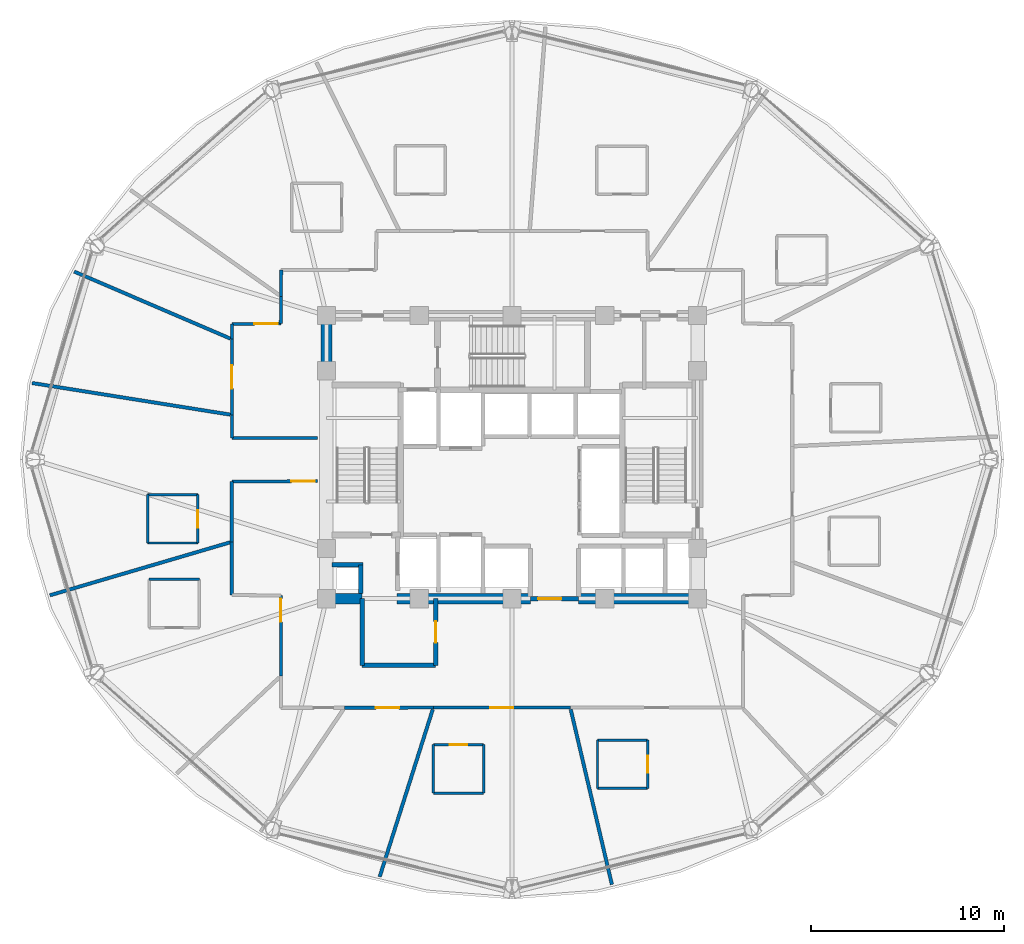
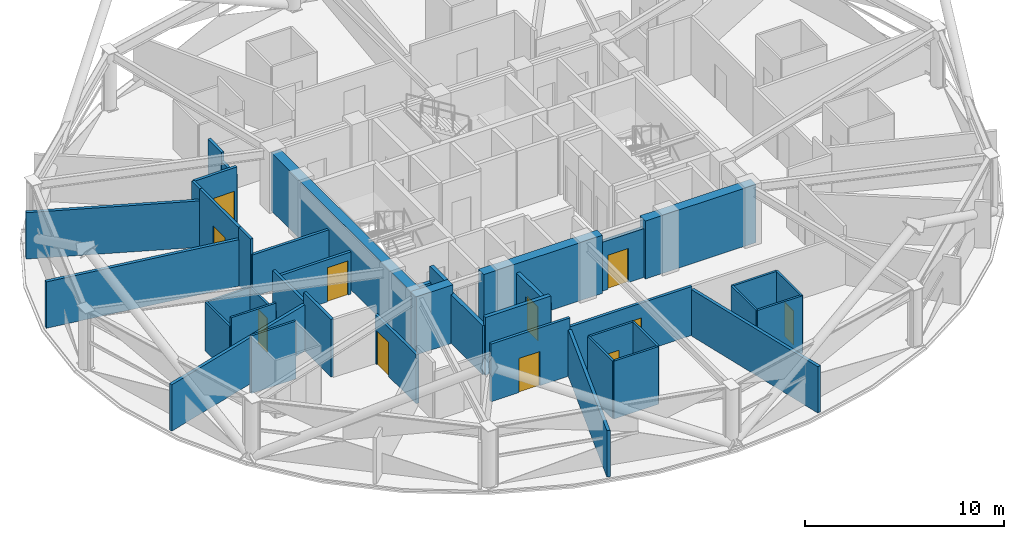
# One storey, part 22 of 29: 41 walls, 11 doors, 11 openings.
"""IFC4 building model written with IfcOpenShell, lengths in metres."""

from ifc_helpers import new_model, si_unit, direction, frame, frame_2d, origin, place, context, subcontext, project, spatial, rectangle, extrude, material, layer, layer_set, type_object, element, fill, save


model = new_model("IFC4")

# Units and contexts
model_context = context("Model", 3, precision=1e-05, world=origin(), true_north=direction((0.0, 1.0)))
body_context = subcontext(model_context, "Body", "Model", "MODEL_VIEW")
ifc_project = project(units=[si_unit("LENGTHUNIT", "METRE"), si_unit("AREAUNIT", "SQUARE_METRE"), si_unit("VOLUMEUNIT", "CUBIC_METRE"), si_unit("PLANEANGLEUNIT", "RADIAN"), si_unit("MASSUNIT", "GRAM", prefix="KILO")], contexts=[model_context])

# Site, building, storey
site_placement = place(None, origin())
site = spatial("IfcSite", under=ifc_project, at=site_placement, CompositionType="ELEMENT")
building_placement = place(site_placement, origin())
building = spatial("IfcBuilding", under=site, at=building_placement, Name="Vantalir Tower", CompositionType="ELEMENT")
storey_placement = place(building_placement, frame((0.0, 0.0, 157.199951171875)))
storey = spatial("IfcBuildingStorey", under=building, at=storey_placement, Name="L39", CompositionType="ELEMENT", Elevation=157.199951171875)

# Walls
ifc_material_1 = material(Name="Moisture-resistant en-suite partition", Category="gypsum")
ifc_layer_1 = layer(ifc_material_1, 0.125)
ifc_layer_set_1 = layer_set([ifc_layer_1], Name="Moisture-resistant en-suite partition")
wall_type_1 = type_object("IfcWallType", Name="WL-BATH-125", PredefinedType="PARTITIONING", material=ifc_layer_set_1)
wall_1_placement = place(storey_placement, frame((12.64892578125, 20.680908203125, 0.0), z_axis=(0.0, 0.0, 1.0), x_axis=(1.0, 0.0, 0.0)))
element("IfcWall", 1, at=wall_1_placement, inside=storey, type_object=wall_type_1, Name="L39 En-suite 08 South Wall", PredefinedType="PARTITIONING", context=body_context, shape_type="SweptSolid", body=[
    extrude(rectangle(XDim=2.60009765625, YDim=0.125, at=frame_2d((1.300048828125, 0.0))), origin(), (0.0, 0.0, 1.0), 3.550048828125),
])
wall_2_placement = place(storey_placement, frame((12.64892578125, 23.180908203125, 0.0), z_axis=(0.0, 0.0, 1.0), x_axis=(1.0, 0.0, 0.0)))
element("IfcWall", 2, at=wall_2_placement, inside=storey, type_object=wall_type_1, Name="L39 En-suite 08 North Wall", PredefinedType="PARTITIONING", context=body_context, shape_type="SweptSolid", body=[
    extrude(rectangle(XDim=2.60009765625, YDim=0.125, at=frame_2d((1.300048828125, 0.0))), origin(), (0.0, 0.0, 1.0), 3.006103515625),
])
wall_3_placement = place(storey_placement, frame((12.64892578125, 20.680908203125, 0.0), z_axis=(0.0, 0.0, 1.0), x_axis=(0.0, 1.0, 0.0)))
element("IfcWall", 3, at=wall_3_placement, inside=storey, type_object=wall_type_1, Name="L39 En-suite 08 West Wall", PredefinedType="PARTITIONING", context=body_context, shape_type="SweptSolid", body=[
    extrude(rectangle(XDim=2.5, YDim=0.125, at=frame_2d((1.25, 0.0))), origin(), (0.0, 0.0, 1.0), 3.006103515625),
])

# Wall, opening, door
wall_4_placement = place(storey_placement, frame((15.2490234375, 20.680908203125, 0.0), z_axis=(0.0, 0.0, 1.0), x_axis=(0.0, 1.0, 0.0)))
wall_4 = element("IfcWall", 4, at=wall_4_placement, inside=storey, type_object=wall_type_1, Name="L39 En-suite 08 East Wall", PredefinedType="PARTITIONING", context=body_context, shape_type="SweptSolid", body=[
    extrude(rectangle(XDim=2.5, YDim=0.125, at=frame_2d((1.25, 0.0))), origin(), (0.0, 0.0, 1.0), 3.006103515625),
])
opening_1_placement = place(wall_4_placement, frame((0.800048828125, 0.0, 0.0)))
opening_1 = element("IfcOpeningElement", 5, at=opening_1_placement, cuts=wall_4, Name="Opening D-WC", PredefinedType="OPENING", context=body_context, shape_type="SweptSolid", body=[
    extrude(rectangle(XDim=0.89990234375, YDim=2.10009765625, at=frame_2d((0.449951171875, 1.050048828125))), frame((0.0, 0.072509765625, 0.0), z_axis=(0.0, -1.0, 0.0), x_axis=(1.0, 0.0, 0.0)), (0.0, 0.0, 1.0), 0.14501953125),
])
ifc_material_2 = material(Name="Moisture-resistant hardwood door", Category="wood")
door_type_1 = type_object("IfcDoorType", Name="DR-ENSUITE-900", OperationType="NOTDEFINED", PredefinedType="DOOR", material=ifc_material_2)
door_1_placement = place(opening_1_placement, origin())
door_1 = element("IfcDoor", 6, at=door_1_placement, inside=storey, type_object=door_type_1, Name="L39 En-suite 08 Door", OperationType="SINGLE_SWING_RIGHT", OverallHeight=2.10009765625, OverallWidth=0.89990234375, PredefinedType="DOOR", context=body_context, shape_type="SweptSolid", body=[
    extrude(rectangle(XDim=0.89990234375, YDim=2.10009765625, at=frame_2d((0.449951171875, 1.050048828125))), frame((0.0, 0.02490234375, 0.0), z_axis=(0.0, -1.0, 0.0), x_axis=(1.0, 0.0, 0.0)), (0.0, 0.0, 1.0), 0.050048828125),
])
fill(opening_1, door_1)

# Walls
wall_5_placement = place(storey_placement, frame((12.72607421875, 18.804931640625, 0.0), z_axis=(0.0, 0.0, 1.0), x_axis=(1.0, 0.0, 0.0)))
element("IfcWall", 7, at=wall_5_placement, inside=storey, type_object=wall_type_1, Name="L39 En-suite 09 North Wall", PredefinedType="PARTITIONING", context=body_context, shape_type="SweptSolid", body=[
    extrude(rectangle(XDim=2.599853515625, YDim=0.125, at=frame_2d((1.2998046875, 0.0))), origin(), (0.0, 0.0, 1.0), 3.550048828125),
])
wall_6_placement = place(storey_placement, frame((27.430908203125, 7.742919921875, 0.0), z_axis=(0.0, 0.0, 1.0), x_axis=(1.0, 0.0, 0.0)))
element("IfcWall", 8, at=wall_6_placement, inside=storey, type_object=wall_type_1, Name="L39 En-suite 12 South Wall", PredefinedType="PARTITIONING", context=body_context, shape_type="SweptSolid", body=[
    extrude(rectangle(XDim=2.60009765625, YDim=0.125, at=frame_2d((1.300048828125, 0.0))), origin(), (0.0, 0.0, 1.0), 3.550048828125),
])

# Wall, opening, door
wall_7_placement = place(storey_placement, frame((27.430908203125, 10.242919921875, 0.0), z_axis=(0.0, 0.0, 1.0), x_axis=(1.0, 0.0, 0.0)))
wall_7 = element("IfcWall", 9, at=wall_7_placement, inside=storey, type_object=wall_type_1, Name="L39 En-suite 12 North Wall", PredefinedType="PARTITIONING", context=body_context, shape_type="SweptSolid", body=[
    extrude(rectangle(XDim=2.60009765625, YDim=0.125, at=frame_2d((1.300048828125, 0.0))), origin(), (0.0, 0.0, 1.0), 3.550048828125),
])
opening_2_placement = place(wall_7_placement, frame((0.85009765625, 0.0, 0.0)))
opening_2 = element("IfcOpeningElement", 10, at=opening_2_placement, cuts=wall_7, Name="Opening D-WC", PredefinedType="OPENING", context=body_context, shape_type="SweptSolid", body=[
    extrude(rectangle(XDim=0.89990234375, YDim=2.10009765625, at=frame_2d((0.449951171875, 1.050048828125))), frame((0.0, 0.072509765625, 0.0), z_axis=(0.0, -1.0, 0.0), x_axis=(1.0, 0.0, 0.0)), (0.0, 0.0, 1.0), 0.14501953125),
])
door_2_placement = place(opening_2_placement, frame((0.89990234375, 0.0, 0.0), z_axis=(0.0, 0.0, 1.0), x_axis=(-1.0, 0.0, 0.0)))
door_2 = element("IfcDoor", 11, at=door_2_placement, inside=storey, type_object=door_type_1, Name="L39 En-suite 12 Door", OperationType="SINGLE_SWING_RIGHT", OverallHeight=2.10009765625, OverallWidth=0.89990234375, PredefinedType="DOOR", context=body_context, shape_type="SweptSolid", body=[
    extrude(rectangle(XDim=0.89990234375, YDim=2.10009765625, at=frame_2d((0.449951171875, 1.050048828125))), frame((0.0, 0.02490234375, 0.0), z_axis=(0.0, -1.0, 0.0), x_axis=(1.0, 0.0, 0.0)), (0.0, 0.0, 1.0), 0.050048828125),
])
fill(opening_2, door_2)

# Walls
for number, where, z_axis, x_axis, name in (
    (12, (27.430908203125, 7.742919921875, 0.0), (0.0, 0.0, 1.0), (0.0, 1.0, 0.0), "L39 En-suite 12 West Wall"),
    (13, (30.031005859375, 7.742919921875, 0.0), (0.0, 0.0, 1.0), (0.0, 1.0, 0.0), "L39 En-suite 12 East Wall"),
):
    element("IfcWall", number, at=place(storey_placement, frame(where, z_axis=z_axis, x_axis=x_axis)), inside=storey, type_object=wall_type_1, Name=name, PredefinedType="PARTITIONING", context=body_context, shape_type="SweptSolid", body=[
        extrude(rectangle(XDim=2.5, YDim=0.125, at=frame_2d((1.25, 0.0))), origin(), (0.0, 0.0, 1.0), 3.550048828125),
    ])
for number, where, z_axis, x_axis, name in (
    (14, (35.923095703125, 7.98291015625, 0.0), (0.0, 0.0, 1.0), (1.0, 0.0, 0.0), "L39 En-suite 13 South Wall"),
    (15, (35.923095703125, 10.48291015625, 0.0), (0.0, 0.0, 1.0), (1.0, 0.0, 0.0), "L39 En-suite 13 North Wall"),
):
    element("IfcWall", number, at=place(storey_placement, frame(where, z_axis=z_axis, x_axis=x_axis)), inside=storey, type_object=wall_type_1, Name=name, PredefinedType="PARTITIONING", context=body_context, shape_type="SweptSolid", body=[
        extrude(rectangle(XDim=2.599853515625, YDim=0.125, at=frame_2d((1.2998046875, 0.0))), origin(), (0.0, 0.0, 1.0), 3.550048828125),
    ])
wall_8_placement = place(storey_placement, frame((35.923095703125, 7.98291015625, 0.0), z_axis=(0.0, 0.0, 1.0), x_axis=(0.0, 1.0, 0.0)))
element("IfcWall", 16, at=wall_8_placement, inside=storey, type_object=wall_type_1, Name="L39 En-suite 13 West Wall", PredefinedType="PARTITIONING", context=body_context, shape_type="SweptSolid", body=[
    extrude(rectangle(XDim=2.5, YDim=0.125, at=frame_2d((1.25, 0.0))), origin(), (0.0, 0.0, 1.0), 3.550048828125),
])

# Wall, opening, door
wall_9_placement = place(storey_placement, frame((38.52294921875, 7.98291015625, 0.0), z_axis=(0.0, 0.0, 1.0), x_axis=(0.0, 1.0, 0.0)))
wall_9 = element("IfcWall", 17, at=wall_9_placement, inside=storey, type_object=wall_type_1, Name="L39 En-suite 13 East Wall", PredefinedType="PARTITIONING", context=body_context, shape_type="SweptSolid", body=[
    extrude(rectangle(XDim=2.5, YDim=0.125, at=frame_2d((1.25, 0.0))), origin(), (0.0, 0.0, 1.0), 3.550048828125),
])
opening_3_placement = place(wall_9_placement, frame((0.800048828125, 0.0, 0.0)))
opening_3 = element("IfcOpeningElement", 18, at=opening_3_placement, cuts=wall_9, Name="Opening D-WC", PredefinedType="OPENING", context=body_context, shape_type="SweptSolid", body=[
    extrude(rectangle(XDim=0.89990234375, YDim=2.10009765625, at=frame_2d((0.449951171875, 1.050048828125))), frame((0.0, 0.072509765625, 0.0), z_axis=(0.0, -1.0, 0.0), x_axis=(1.0, 0.0, 0.0)), (0.0, 0.0, 1.0), 0.14501953125),
])
door_3_placement = place(opening_3_placement, origin())
door_3 = element("IfcDoor", 19, at=door_3_placement, inside=storey, type_object=door_type_1, Name="L39 En-suite 13 Door", OperationType="SINGLE_SWING_LEFT", OverallHeight=2.10009765625, OverallWidth=0.89990234375, PredefinedType="DOOR", context=body_context, shape_type="SweptSolid", body=[
    extrude(rectangle(XDim=0.89990234375, YDim=2.10009765625, at=frame_2d((0.449951171875, 1.050048828125))), frame((0.0, 0.02490234375, 0.0), z_axis=(0.0, -1.0, 0.0), x_axis=(1.0, 0.0, 0.0)), (0.0, 0.0, 1.0), 0.050048828125),
])
fill(opening_3, door_3)

# Walls
ifc_material_3 = material(Name="Concrete C60/75", Category="concrete")
ifc_layer_2 = layer(ifc_material_3, 0.550048828125)
ifc_layer_set_2 = layer_set([ifc_layer_2], Name="Concrete C60/75")
wall_type_2 = type_object("IfcWallType", Name="WL-CORE-550", PredefinedType="SHEAR", material=ifc_layer_set_2)
wall_10_placement = place(storey_placement, frame((21.625, 17.800048828125, 0.0), z_axis=(0.0, 0.0, 1.0), x_axis=(1.0, 0.0, 0.0)))
element("IfcWall", 20, at=wall_10_placement, inside=storey, type_object=wall_type_2, Name="L39 Core Shear Wall South-West", PredefinedType="SHEAR", context=body_context, shape_type="SweptSolid", body=[
    extrude(rectangle(XDim=2.125, YDim=0.550048828125, at=frame_2d((1.0625, 0.0))), origin(), (0.0, 0.0, 1.0), 3.570068359375),
])
wall_11_placement = place(storey_placement, frame((25.550048828125, 17.800048828125, 0.0), z_axis=(0.0, 0.0, 1.0), x_axis=(1.0, 0.0, 0.0)))
element("IfcWall", 21, at=wall_11_placement, inside=storey, type_object=wall_type_2, Name="L39 Core Shear Wall South-Mid", PredefinedType="SHEAR", context=body_context, shape_type="SweptSolid", body=[
    extrude(rectangle(XDim=6.89990234375, YDim=0.550048828125, at=frame_2d((3.449951171875, 0.0))), origin(), (0.0, 0.0, 1.0), 3.570068359375),
])
wall_12_placement = place(storey_placement, frame((34.949951171875, 17.800048828125, 0.0), z_axis=(0.0, 0.0, 1.0), x_axis=(1.0, 0.0, 0.0)))
element("IfcWall", 22, at=wall_12_placement, inside=storey, type_object=wall_type_2, Name="L39 Core Shear Wall South-East", PredefinedType="SHEAR", context=body_context, shape_type="SweptSolid", body=[
    extrude(rectangle(XDim=6.425048828125, YDim=0.550048828125, at=frame_2d((3.21240234375, 0.0))), origin(), (0.0, 0.0, 1.0), 3.570068359375),
])
wall_13_placement = place(storey_placement, frame((21.89990234375, 18.074951171875, 0.0), z_axis=(0.0, 0.0, 1.0), x_axis=(0.0, 1.0, 0.0)))
element("IfcWall", 23, at=wall_13_placement, inside=storey, type_object=wall_type_2, Name="L39 Core Shear Wall West", PredefinedType="SHEAR", context=body_context, shape_type="SweptSolid", body=[
    extrude(rectangle(XDim=14.10009765625, YDim=0.550048828125, at=frame_2d((7.050048828125, 0.0))), origin(), (0.0, 0.0, 1.0), 3.570068359375),
])
ifc_material_4 = material(Name="Fire-rated hotel corridor acoustic partition", Category="gypsum")
ifc_layer_3 = layer(ifc_material_4, 0.159912109375)
ifc_layer_set_3 = layer_set([ifc_layer_3], Name="Fire-rated hotel corridor acoustic partition")
wall_type_3 = type_object("IfcWallType", Name="WL-CORR-160", PredefinedType="PARTITIONING", material=ifc_layer_set_3)
wall_14_placement = place(storey_placement, frame((21.445068359375, 26.114990234375, 0.0), z_axis=(0.0, 0.0, 1.0), x_axis=(-0.999997454189, 0.002256460959, 0.0)))
element("IfcWall", 24, at=wall_14_placement, inside=storey, type_object=wall_type_3, Name="L39 Corridor Partition 01", PredefinedType="PARTITIONING", context=body_context, shape_type="SweptSolid", body=[
    extrude(rectangle(XDim=4.43603515625, YDim=0.159912109375, at=frame_2d((2.218017578125, 0.0))), origin(), (0.0, 0.0, 1.0), 2.594970703125),
])
wall_15_placement = place(storey_placement, frame((17.009033203125, 26.125, 0.0), z_axis=(0.0, 0.0, 1.0), x_axis=(-0.00082338383, 0.999999661019, 0.0)))
element("IfcWall", 25, at=wall_15_placement, inside=storey, type_object=wall_type_3, Name="L39 Corridor Partition 02", PredefinedType="PARTITIONING", context=body_context, shape_type="SweptSolid", body=[
    extrude(rectangle(XDim=1.18603515625, YDim=0.159912109375, at=frame_2d((0.593017578125, 0.0))), origin(), (0.0, 0.0, 1.0), 3.550048828125),
])

# Wall, opening, door
wall_16_placement = place(storey_placement, frame((17.008056640625, 27.31103515625, 0.0), z_axis=(0.0, 0.0, 1.0), x_axis=(-0.001309879116, 0.999999142108, 0.0)))
wall_16 = element("IfcWall", 26, at=wall_16_placement, inside=storey, type_object=wall_type_3, Name="L39 Corridor Partition 03", PredefinedType="PARTITIONING", context=body_context, shape_type="SweptSolid", body=[
    extrude(rectangle(XDim=3.9140625, YDim=0.159912109375, at=frame_2d((1.95703125, 0.0))), origin(), (0.0, 0.0, 1.0), 3.550048828125),
])
opening_4_placement = place(wall_16_placement, frame((1.35693359375, 0.0, 0.0)))
opening_4 = element("IfcOpeningElement", 27, at=opening_4_placement, cuts=wall_16, Name="Opening D-STE", PredefinedType="OPENING", context=body_context, shape_type="SweptSolid", body=[
    extrude(rectangle(XDim=1.199951171875, YDim=2.10009765625, at=frame_2d((0.60009765625, 1.050048828125))), frame((0.0, 0.08984375, 0.0), z_axis=(0.0, -1.0, 0.0), x_axis=(1.0, 0.0, 0.0)), (0.0, 0.0, 1.0), 0.179931640625),
])
ifc_material_5 = material(Name="Solid-core teak veneer suite entrance door", Category="wood")
door_type_2 = type_object("IfcDoorType", Name="DR-SUITE-ENTRY-1200", OperationType="NOTDEFINED", PredefinedType="DOOR", material=ifc_material_5)
door_4_placement = place(opening_4_placement, origin())
door_4 = element("IfcDoor", 28, at=door_4_placement, inside=storey, type_object=door_type_2, Name="L39 Club Reading Lounge 07 Door", OperationType="SINGLE_SWING_RIGHT", OverallHeight=2.10009765625, OverallWidth=1.199951171875, PredefinedType="DOOR", context=body_context, shape_type="SweptSolid", body=[
    extrude(rectangle(XDim=1.199951171875, YDim=2.10009765625, at=frame_2d((0.60009765625, 1.050048828125))), frame((0.0, 0.02490234375, 0.0), z_axis=(0.0, -1.0, 0.0), x_axis=(1.0, 0.0, 0.0)), (0.0, 0.0, 1.0), 0.050048828125),
])
fill(opening_4, door_4)

# Wall
wall_17_placement = place(storey_placement, frame((17.0029296875, 31.22509765625, 0.0), z_axis=(0.0, 0.0, 1.0), x_axis=(-0.001241078784, 0.999999229861, 0.0)))
element("IfcWall", 29, at=wall_17_placement, inside=storey, type_object=wall_type_3, Name="L39 Corridor Partition 04", PredefinedType="PARTITIONING", context=body_context, shape_type="SweptSolid", body=[
    extrude(rectangle(XDim=0.786865234375, YDim=0.159912109375, at=frame_2d((0.3935546875, 0.0))), origin(), (0.0, 0.0, 1.0), 3.550048828125),
])

# Wall, opening, door
wall_18_placement = place(storey_placement, frame((17.001953125, 32.011962890625, 0.0), z_axis=(0.0, 0.0, 1.0), x_axis=(0.999938574393, 0.011083656487, 0.0)))
wall_18 = element("IfcWall", 30, at=wall_18_placement, inside=storey, type_object=wall_type_3, Name="L39 Corridor Partition 05", PredefinedType="PARTITIONING", context=body_context, shape_type="SweptSolid", body=[
    extrude(rectangle(XDim=2.533203125, YDim=0.159912109375, at=frame_2d((1.2666015625, 0.0))), origin(), (0.0, 0.0, 1.0), 3.550048828125),
])
opening_5_placement = place(wall_18_placement, frame((1.173095703125, 0.0, 0.0)))
opening_5 = element("IfcOpeningElement", 31, at=opening_5_placement, cuts=wall_18, Name="Opening D-STE", PredefinedType="OPENING", context=body_context, shape_type="SweptSolid", body=[
    extrude(rectangle(XDim=1.199951171875, YDim=2.10009765625, at=frame_2d((0.60009765625, 1.050048828125))), frame((0.0, 0.08984375, 0.0), z_axis=(0.0, -1.0, 0.0), x_axis=(1.0, 0.0, 0.0)), (0.0, 0.0, 1.0), 0.179931640625),
])
door_5_placement = place(opening_5_placement, origin())
door_5 = element("IfcDoor", 32, at=door_5_placement, inside=storey, type_object=door_type_2, Name="L39 Executive Business Study 06 Door", OperationType="SINGLE_SWING_LEFT", OverallHeight=2.10009765625, OverallWidth=1.199951171875, PredefinedType="DOOR", context=body_context, shape_type="SweptSolid", body=[
    extrude(rectangle(XDim=1.199951171875, YDim=2.10009765625, at=frame_2d((0.60009765625, 1.050048828125))), frame((0.0, 0.02490234375, 0.0), z_axis=(0.0, -1.0, 0.0), x_axis=(1.0, 0.0, 0.0)), (0.0, 0.0, 1.0), 0.050048828125),
])
fill(opening_5, door_5)

# Walls
wall_19_placement = place(storey_placement, frame((19.534912109375, 32.0400390625, 0.0), z_axis=(0.0, 0.0, 1.0), x_axis=(0.009389257464, 0.999955919951, 0.0)))
element("IfcWall", 33, at=wall_19_placement, inside=storey, type_object=wall_type_3, Name="L39 Corridor Partition 06", PredefinedType="PARTITIONING", context=body_context, shape_type="SweptSolid", body=[
    extrude(rectangle(XDim=1.404052734375, YDim=0.159912109375, at=frame_2d((0.7021484375, 0.0))), origin(), (0.0, 0.0, 1.0), 3.006103515625),
])
wall_20_placement = place(storey_placement, frame((19.548095703125, 33.444091796875, 0.0), z_axis=(0.0, 0.0, 1.0), x_axis=(0.008744980606, 0.999961761926, 0.0)))
element("IfcWall", 34, at=wall_20_placement, inside=storey, type_object=wall_type_3, Name="L39 Corridor Partition 07", PredefinedType="PARTITIONING", context=body_context, shape_type="SweptSolid", body=[
    extrude(rectangle(XDim=1.367919921875, YDim=0.159912109375, at=frame_2d((0.68408203125, 0.0))), origin(), (0.0, 0.0, 1.0), 3.550048828125),
])

# Wall, opening, door
wall_21_placement = place(storey_placement, frame((34.51806640625, 12.1640625, 0.0), z_axis=(0.0, 0.0, 1.0), x_axis=(-0.999999828666, -0.000585379191, 0.0)))
wall_21 = element("IfcWall", 35, at=wall_21_placement, inside=storey, type_object=wall_type_3, Name="L39 Corridor Partition 26", PredefinedType="PARTITIONING", context=body_context, shape_type="SweptSolid", body=[
    extrude(rectangle(XDim=7.090087890625, YDim=0.159912109375, at=frame_2d((3.544921875, 0.0))), origin(), (0.0, 0.0, 1.0), 3.006103515625),
])
opening_6_placement = place(wall_21_placement, frame((2.945068359375, 0.0, 0.0)))
opening_6 = element("IfcOpeningElement", 36, at=opening_6_placement, cuts=wall_21, Name="Opening D-STE", PredefinedType="OPENING", context=body_context, shape_type="SweptSolid", body=[
    extrude(rectangle(XDim=1.199951171875, YDim=2.10009765625, at=frame_2d((0.60009765625, 1.050048828125))), frame((0.0, 0.08984375, 0.0), z_axis=(0.0, -1.0, 0.0), x_axis=(1.0, 0.0, 0.0)), (0.0, 0.0, 1.0), 0.179931640625),
])
door_6_placement = place(opening_6_placement, origin())
door_6 = element("IfcDoor", 37, at=door_6_placement, inside=storey, type_object=door_type_2, Name="L39 Executive Club Hotel Suite 12 Door", OperationType="SINGLE_SWING_LEFT", OverallHeight=2.10009765625, OverallWidth=1.199951171875, PredefinedType="DOOR", context=body_context, shape_type="SweptSolid", body=[
    extrude(rectangle(XDim=1.199951171875, YDim=2.10009765625, at=frame_2d((0.60009765625, 1.050048828125))), frame((0.0, 0.02490234375, 0.0), z_axis=(0.0, -1.0, 0.0), x_axis=(1.0, 0.0, 0.0)), (0.0, 0.0, 1.0), 0.050048828125),
])
fill(opening_6, door_6)

wall_22_placement = place(storey_placement, frame((27.427978515625, 12.159912109375, 0.0), z_axis=(0.0, 0.0, 1.0), x_axis=(-0.99999990974, -0.000424876482, 0.0)))
wall_22 = element("IfcWall", 38, at=wall_22_placement, inside=storey, type_object=wall_type_3, Name="L39 Corridor Partition 27", PredefinedType="PARTITIONING", context=body_context, shape_type="SweptSolid", body=[
    extrude(rectangle(XDim=4.596923828125, YDim=0.159912109375, at=frame_2d((2.29833984375, 0.0))), origin(), (0.0, 0.0, 1.0), 3.550048828125),
])
opening_7_placement = place(wall_22_placement, frame((1.77197265625, 0.0, 0.0)))
opening_7 = element("IfcOpeningElement", 39, at=opening_7_placement, cuts=wall_22, Name="Opening D-STE", PredefinedType="OPENING", context=body_context, shape_type="SweptSolid", body=[
    extrude(rectangle(XDim=1.199951171875, YDim=2.10009765625, at=frame_2d((0.60009765625, 1.050048828125))), frame((0.0, 0.08984375, 0.0), z_axis=(0.0, -1.0, 0.0), x_axis=(1.0, 0.0, 0.0)), (0.0, 0.0, 1.0), 0.179931640625),
])
door_7_placement = place(opening_7_placement, origin())
door_7 = element("IfcDoor", 40, at=door_7_placement, inside=storey, type_object=door_type_2, Name="L39 Club Reading Lounge 11 Door", OperationType="SINGLE_SWING_RIGHT", OverallHeight=2.10009765625, OverallWidth=1.199951171875, PredefinedType="DOOR", context=body_context, shape_type="SweptSolid", body=[
    extrude(rectangle(XDim=1.199951171875, YDim=2.10009765625, at=frame_2d((0.60009765625, 1.050048828125))), frame((0.0, 0.02490234375, 0.0), z_axis=(0.0, -1.0, 0.0), x_axis=(1.0, 0.0, 0.0)), (0.0, 0.0, 1.0), 0.050048828125),
])
fill(opening_7, door_7)

wall_23_placement = place(storey_placement, frame((19.548095703125, 13.80908203125, 0.0), z_axis=(0.0, 0.0, 1.0), x_axis=(-0.00317608091, 0.999994956242, 0.0)))
wall_23 = element("IfcWall", 41, at=wall_23_placement, inside=storey, type_object=wall_type_3, Name="L39 Corridor Partition 30", PredefinedType="PARTITIONING", context=body_context, shape_type="SweptSolid", body=[
    extrude(rectangle(XDim=4.15087890625, YDim=0.159912109375, at=frame_2d((2.075439453125, 0.0))), origin(), (0.0, 0.0, 1.0), 3.006103515625),
])
opening_8_placement = place(wall_23_placement, frame((2.791015625, 0.0, 0.0)))
opening_8 = element("IfcOpeningElement", 42, at=opening_8_placement, cuts=wall_23, Name="Opening D-STE", PredefinedType="OPENING", context=body_context, shape_type="SweptSolid", body=[
    extrude(rectangle(XDim=1.199951171875, YDim=2.10009765625, at=frame_2d((0.60009765625, 1.050048828125))), frame((0.0, 0.08984375, 0.0), z_axis=(0.0, -1.0, 0.0), x_axis=(1.0, 0.0, 0.0)), (0.0, 0.0, 1.0), 0.179931640625),
])
door_8_placement = place(opening_8_placement, origin())
door_8 = element("IfcDoor", 43, at=door_8_placement, inside=storey, type_object=door_type_2, Name="L39 Executive Club Hotel Suite 09 Door", OperationType="SINGLE_SWING_RIGHT", OverallHeight=2.10009765625, OverallWidth=1.199951171875, PredefinedType="DOOR", context=body_context, shape_type="SweptSolid", body=[
    extrude(rectangle(XDim=1.199951171875, YDim=2.10009765625, at=frame_2d((0.60009765625, 1.050048828125))), frame((0.0, 0.02490234375, 0.0), z_axis=(0.0, -1.0, 0.0), x_axis=(1.0, 0.0, 0.0)), (0.0, 0.0, 1.0), 0.050048828125),
])
fill(opening_8, door_8)

# Walls
wall_24_placement = place(storey_placement, frame((17.0009765625, 17.991943359375, 0.0), z_axis=(0.0, 0.0, 1.0), x_axis=(0.0, 1.0, 0.0)))
element("IfcWall", 44, at=wall_24_placement, inside=storey, type_object=wall_type_3, Name="L39 Corridor Partition 32", PredefinedType="PARTITIONING", context=body_context, shape_type="SweptSolid", body=[
    extrude(rectangle(XDim=2.748046875, YDim=0.159912109375, at=frame_2d((1.3740234375, 0.0))), origin(), (0.0, 0.0, 1.0), 3.550048828125),
])
wall_25_placement = place(storey_placement, frame((17.0009765625, 20.739990234375, 0.0), z_axis=(0.0, 0.0, 1.0), x_axis=(0.0, 1.0, 0.0)))
element("IfcWall", 45, at=wall_25_placement, inside=storey, type_object=wall_type_3, Name="L39 Corridor Partition 33", PredefinedType="PARTITIONING", context=body_context, shape_type="SweptSolid", body=[
    extrude(rectangle(XDim=3.117919921875, YDim=0.159912109375, at=frame_2d((1.55908203125, 0.0))), origin(), (0.0, 0.0, 1.0), 3.006103515625),
])

# Wall, opening, door
wall_26_placement = place(storey_placement, frame((17.0009765625, 23.85791015625, 0.0), z_axis=(0.0, 0.0, 1.0), x_axis=(0.999982724113, 0.005878050403, 0.0)))
wall_26 = element("IfcWall", 46, at=wall_26_placement, inside=storey, type_object=wall_type_3, Name="L39 Corridor Partition 34", PredefinedType="PARTITIONING", context=body_context, shape_type="SweptSolid", body=[
    extrude(rectangle(XDim=4.444091796875, YDim=0.159912109375, at=frame_2d((2.22216796875, 0.0))), origin(), (0.0, 0.0, 1.0), 2.594970703125),
])
opening_9_placement = place(wall_26_placement, frame((3.083984375, 0.0, 0.0)))
opening_9 = element("IfcOpeningElement", 47, at=opening_9_placement, cuts=wall_26, Name="Opening D-STE", PredefinedType="OPENING", context=body_context, shape_type="SweptSolid", body=[
    extrude(rectangle(XDim=1.199951171875, YDim=2.10009765625, at=frame_2d((0.60009765625, 1.050048828125))), frame((0.0, 0.08984375, 0.0), z_axis=(0.0, -1.0, 0.0), x_axis=(1.0, 0.0, 0.0)), (0.0, 0.0, 1.0), 0.179931640625),
])
door_9_placement = place(opening_9_placement, origin())
door_9 = element("IfcDoor", 48, at=door_9_placement, inside=storey, type_object=door_type_2, Name="L39 Corner Panorama Hotel Suite 08 Door", OperationType="SINGLE_SWING_LEFT", OverallHeight=2.10009765625, OverallWidth=1.199951171875, PredefinedType="DOOR", context=body_context, shape_type="SweptSolid", body=[
    extrude(rectangle(XDim=1.199951171875, YDim=2.10009765625, at=frame_2d((0.60009765625, 1.050048828125))), frame((0.0, 0.02490234375, 0.0), z_axis=(0.0, -1.0, 0.0), x_axis=(1.0, 0.0, 0.0)), (0.0, 0.0, 1.0), 0.050048828125),
])
fill(opening_9, door_9)

ifc_material_6 = material(Name="Concrete blockwork with fireboard lining", Category="masonry")
ifc_layer_4 = layer(ifc_material_6, 0.219970703125)
ifc_layer_set_4 = layer_set([ifc_layer_4], Name="Concrete blockwork with fireboard lining")
wall_type_4 = type_object("IfcWallType", Name="WL-FFL-220", PredefinedType="PARTITIONING", material=ifc_layer_set_4)
wall_27_placement = place(storey_placement, frame((32.449951171875, 17.800048828125, 0.0), z_axis=(0.0, 0.0, 1.0), x_axis=(1.0, 0.0, 0.0)))
wall_27 = element("IfcWall", 49, at=wall_27_placement, inside=storey, type_object=wall_type_4, Name="L39 Passenger Lift Lobby South Wall", PredefinedType="PARTITIONING", context=body_context, shape_type="SweptSolid", body=[
    extrude(rectangle(XDim=2.5, YDim=0.219970703125, at=frame_2d((1.25, 0.0))), origin(), (0.0, 0.0, 1.0), 3.006103515625),
])
opening_10_placement = place(wall_27_placement, frame((0.39990234375, 0.0, 0.0)))
opening_10 = element("IfcOpeningElement", 50, at=opening_10_placement, cuts=wall_27, Name="Opening D-STE", PredefinedType="OPENING", context=body_context, shape_type="SweptSolid", body=[
    extrude(rectangle(XDim=1.199951171875, YDim=2.10009765625, at=frame_2d((0.60009765625, 1.050048828125))), frame((0.0, 0.119873046875, 0.0), z_axis=(0.0, -1.0, 0.0), x_axis=(1.0, 0.0, 0.0)), (0.0, 0.0, 1.0), 0.239990234375),
])
door_10_placement = place(opening_10_placement, origin())
door_10 = element("IfcDoor", 51, at=door_10_placement, inside=storey, type_object=door_type_2, Name="L39 Passenger Lift Lobby Concourse Door", OperationType="SINGLE_SWING_RIGHT", OverallHeight=2.10009765625, OverallWidth=1.199951171875, PredefinedType="DOOR", context=body_context, shape_type="SweptSolid", body=[
    extrude(rectangle(XDim=1.199951171875, YDim=2.10009765625, at=frame_2d((0.60009765625, 1.050048828125))), frame((0.0, 0.02490234375, 0.0), z_axis=(0.0, -1.0, 0.0), x_axis=(1.0, 0.0, 0.0)), (0.0, 0.0, 1.0), 0.050048828125),
])
fill(opening_10, door_10)

# Walls
wall_28_placement = place(storey_placement, frame((23.679931640625, 18.074951171875, 0.0), z_axis=(0.0, 0.0, 1.0), x_axis=(0.0, 1.0, 0.0)))
element("IfcWall", 52, at=wall_28_placement, inside=storey, type_object=wall_type_4, Name="L39 West MEP Riser Wall E", PredefinedType="PARTITIONING", context=body_context, shape_type="SweptSolid", body=[
    extrude(rectangle(XDim=1.47509765625, YDim=0.219970703125, at=frame_2d((0.737548828125, 0.0))), origin(), (0.0, 0.0, 1.0), 3.550048828125),
])
wall_29_placement = place(storey_placement, frame((22.175048828125, 19.550048828125, 0.0), z_axis=(0.0, 0.0, 1.0), x_axis=(1.0, 0.0, 0.0)))
element("IfcWall", 53, at=wall_29_placement, inside=storey, type_object=wall_type_4, Name="L39 West MEP Riser Wall N", PredefinedType="PARTITIONING", context=body_context, shape_type="SweptSolid", body=[
    extrude(rectangle(XDim=1.614990234375, YDim=0.219970703125, at=frame_2d((0.8076171875, 0.0))), origin(), (0.0, 0.0, 1.0), 2.594970703125),
])
wall_30_placement = place(storey_placement, frame((23.75, 14.35009765625, 0.0), z_axis=(0.0, 0.0, 1.0), x_axis=(0.0, 1.0, 0.0)))
element("IfcWall", 54, at=wall_30_placement, inside=storey, type_object=wall_type_4, Name="L39 Firefighting Lobby West Outer W", PredefinedType="PARTITIONING", context=body_context, shape_type="SweptSolid", body=[
    extrude(rectangle(XDim=3.449951171875, YDim=0.219970703125, at=frame_2d((1.72509765625, 0.0))), origin(), (0.0, 0.0, 1.0), 3.006103515625),
])
wall_31_placement = place(storey_placement, frame((23.75, 14.35009765625, 0.0), z_axis=(0.0, 0.0, 1.0), x_axis=(1.0, 0.0, 0.0)))
element("IfcWall", 55, at=wall_31_placement, inside=storey, type_object=wall_type_4, Name="L39 Firefighting Lobby West South Wall", PredefinedType="PARTITIONING", context=body_context, shape_type="SweptSolid", body=[
    extrude(rectangle(XDim=3.800048828125, YDim=0.219970703125, at=frame_2d((1.89990234375, 0.0))), origin(), (0.0, 0.0, 1.0), 3.550048828125),
])

# Wall, opening, door
wall_32_placement = place(storey_placement, frame((27.550048828125, 14.35009765625, 0.0), z_axis=(0.0, 0.0, 1.0), x_axis=(0.0, 1.0, 0.0)))
wall_32 = element("IfcWall", 56, at=wall_32_placement, inside=storey, type_object=wall_type_4, Name="L39 Firefighting Lobby West East Wall", PredefinedType="PARTITIONING", context=body_context, shape_type="SweptSolid", body=[
    extrude(rectangle(XDim=3.449951171875, YDim=0.219970703125, at=frame_2d((1.72509765625, 0.0))), origin(), (0.0, 0.0, 1.0), 3.006103515625),
])
opening_11_placement = place(wall_32_placement, frame((1.175048828125, 0.0, 0.0)))
opening_11 = element("IfcOpeningElement", 57, at=opening_11_placement, cuts=wall_32, Name="Opening D-FFL", PredefinedType="OPENING", context=body_context, shape_type="SweptSolid", body=[
    extrude(rectangle(XDim=1.10009765625, YDim=2.10009765625, at=frame_2d((0.550048828125, 1.050048828125))), frame((0.0, 0.119873046875, 0.0), z_axis=(0.0, -1.0, 0.0), x_axis=(1.0, 0.0, 0.0)), (0.0, 0.0, 1.0), 0.239990234375),
])
ifc_material_7 = material(Name="Fire-rated acoustic steel door", Category="steel")
door_type_3 = type_object("IfcDoorType", Name="DR-FIRE-LOBBY-1100", OperationType="NOTDEFINED", PredefinedType="DOOR", material=ifc_material_7)
door_11_placement = place(opening_11_placement, origin())
door_11 = element("IfcDoor", 58, at=door_11_placement, inside=storey, type_object=door_type_3, Name="L39 Firefighting Lobby West Access Door", OperationType="SINGLE_SWING_RIGHT", OverallHeight=2.10009765625, OverallWidth=1.10009765625, PredefinedType="DOOR", context=body_context, shape_type="SweptSolid", body=[
    extrude(rectangle(XDim=1.10009765625, YDim=2.10009765625, at=frame_2d((0.550048828125, 1.050048828125))), frame((0.0, 0.02490234375, 0.0), z_axis=(0.0, -1.0, 0.0), x_axis=(1.0, 0.0, 0.0)), (0.0, 0.0, 1.0), 0.050048828125),
])
fill(opening_11, door_11)

# Walls
ifc_material_8 = material(Name="Twin-stud acoustic fire-rated gypsum partition", Category="gypsum")
ifc_layer_5 = layer(ifc_material_8, 0.179931640625)
ifc_layer_set_5 = layer_set([ifc_layer_5], Name="Twin-stud acoustic fire-rated gypsum partition")
wall_type_5 = type_object("IfcWallType", Name="WL-GUEST-180", PredefinedType="PARTITIONING", material=ifc_layer_set_5)
wall_33_placement = place(storey_placement, frame((16.925048828125, 31.258056640625, 0.0), z_axis=(0.0, 0.0, 1.0), x_axis=(-0.918899218309, 0.394492365694, 0.0)))
element("IfcWall", 59, at=wall_33_placement, inside=storey, type_object=wall_type_5, Name="L39 Radial Suite Partition 07", PredefinedType="PARTITIONING", context=body_context, shape_type="SweptSolid", body=[
    extrude(rectangle(XDim=8.791015625, YDim=0.179931640625, at=frame_2d((4.3955078125, 0.0))), origin(), (0.0, 0.0, 1.0), 2.85205078125),
])
wall_34_placement = place(storey_placement, frame((16.925048828125, 27.323974609375, 0.0), z_axis=(0.0, 0.0, 1.0), x_axis=(-0.987522476436, 0.157478120811, 0.0)))
element("IfcWall", 60, at=wall_34_placement, inside=storey, type_object=wall_type_5, Name="L39 Radial Suite Partition 08", PredefinedType="PARTITIONING", context=body_context, shape_type="SweptSolid", body=[
    extrude(rectangle(XDim=10.388671875, YDim=0.179931640625, at=frame_2d((5.1943359375, 0.0))), origin(), (0.0, 0.0, 1.0), 2.85205078125),
])
wall_35_placement = place(storey_placement, frame((16.925048828125, 20.718017578125, 0.0), z_axis=(0.0, 0.0, 1.0), x_axis=(-0.959446138816, -0.2818920125, 0.0)))
element("IfcWall", 61, at=wall_35_placement, inside=storey, type_object=wall_type_5, Name="L39 Radial Suite Partition 09", PredefinedType="PARTITIONING", context=body_context, shape_type="SweptSolid", body=[
    extrude(rectangle(XDim=9.73388671875, YDim=0.179931640625, at=frame_2d((4.866943359375, 0.0))), origin(), (0.0, 0.0, 1.0), 2.85205078125),
])
wall_36_placement = place(storey_placement, frame((27.40087890625, 12.074951171875, 0.0), z_axis=(0.0, 0.0, 1.0), x_axis=(-0.302281968235, -0.953218553995, 0.0)))
element("IfcWall", 62, at=wall_36_placement, inside=storey, type_object=wall_type_5, Name="L39 Radial Suite Partition 12", PredefinedType="PARTITIONING", context=body_context, shape_type="SweptSolid", body=[
    extrude(rectangle(XDim=9.0869140625, YDim=0.179931640625, at=frame_2d((4.54345703125, 0.0))), origin(), (0.0, 0.0, 1.0), 2.85205078125),
])
wall_37_placement = place(storey_placement, frame((34.5380859375, 12.074951171875, 0.0), z_axis=(0.0, 0.0, 1.0), x_axis=(0.228875629266, -0.973455672503, 0.0)))
element("IfcWall", 63, at=wall_37_placement, inside=storey, type_object=wall_type_5, Name="L39 Radial Suite Partition 13", PredefinedType="PARTITIONING", context=body_context, shape_type="SweptSolid", body=[
    extrude(rectangle(XDim=9.31005859375, YDim=0.179931640625, at=frame_2d((4.655029296875, 0.0))), origin(), (0.0, 0.0, 1.0), 2.85205078125),
])

save(model, "model.ifc")
